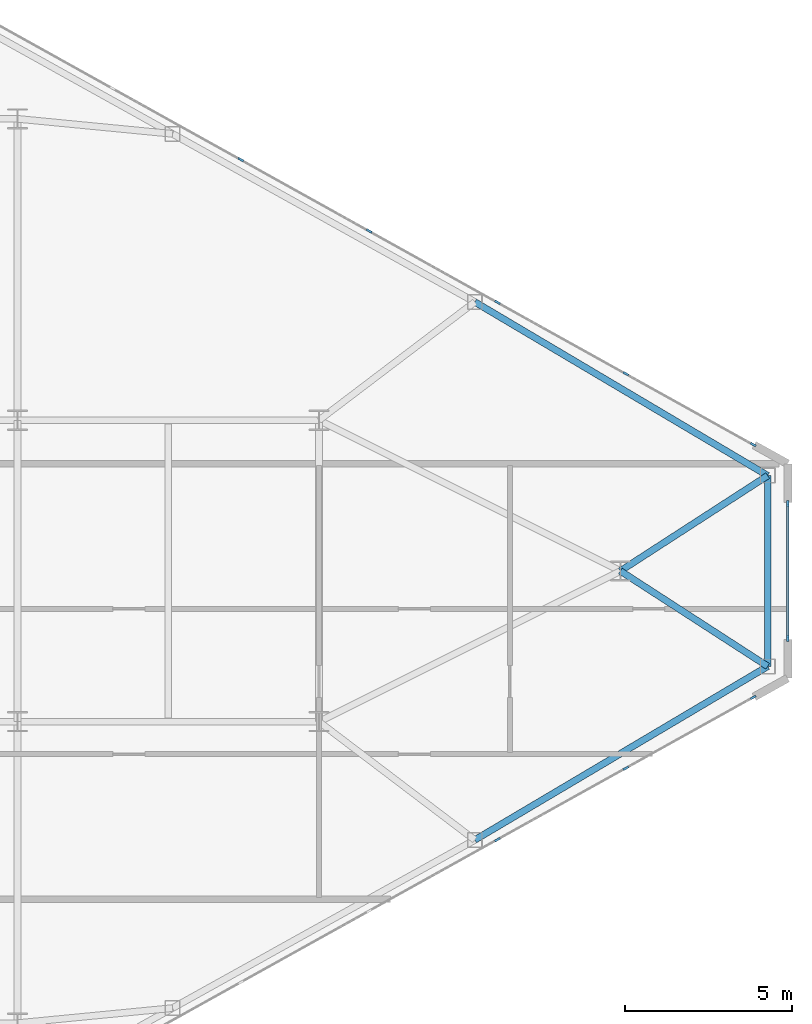
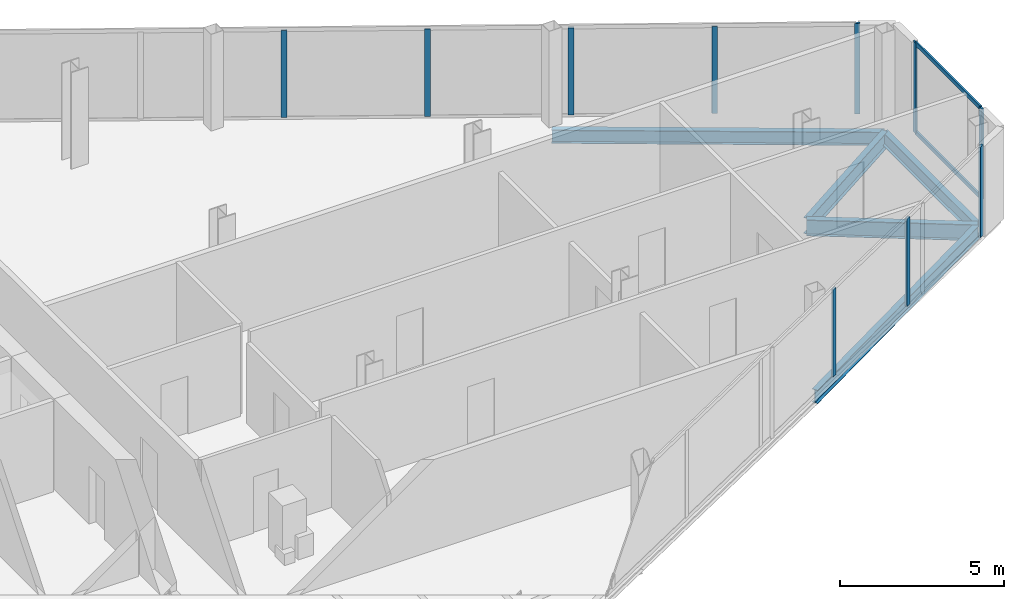
# One storey, part 17 of 25: 12 members, 5 beams, 3 elements without a shape of their own.
"""IFC4 building model written with IfcOpenShell, lengths in metres."""

import ifcopenshell
import ifcopenshell.guid

model = None  # the IFC model being written
_history = None  # IfcOwnerHistory: only IFC2X3 demands one
_inside = {}  # id of a spatial element -> (the spatial element, [elements in it])
_under = {}  # id of a project, library or spatial element -> (it, [spatial elements below it])
_declared = {}  # id of a project -> (the project, [libraries it declares])
_typed = {}  # id of a type object -> (the type object, [elements of that type])
_made_of = {}  # id of a material, layer set ... -> (it, [elements and type objects made of it])


def new_model(schema):
    """Start an empty IFC model of exactly this schema.

    Asked for "IFC4X3", IfcOpenShell would pick the latest addendum, in which some entities
    have other attributes; the version numbers below select the first issue.
    IFC2X3 requires an IfcOwnerHistory on every rooted entity: one is made here for all.
    """
    global model, _history
    if schema == "IFC4X3":
        model = ifcopenshell.file(schema_version=(4, 3, 0, 0))
    else:
        model = ifcopenshell.file(schema=schema)
    _inside.clear()
    _under.clear()
    _declared.clear()
    _typed.clear()
    _made_of.clear()
    _history = None
    if model.schema == "IFC2X3":
        org = make("IfcOrganization", Name="unknown")
        user = make(
            "IfcPersonAndOrganization",
            ThePerson=make("IfcPerson", FamilyName="unknown"),
            TheOrganization=org,
        )
        app = make(
            "IfcApplication",
            ApplicationDeveloper=org,
            Version="unknown",
            ApplicationFullName="unknown",
            ApplicationIdentifier="unknown",
        )
        _history = make(
            "IfcOwnerHistory",
            OwningUser=user,
            OwningApplication=app,
            ChangeAction="ADDED",
            CreationDate=0,
        )
    return model


def make(cls, **values):
    """One entity of the class cls with the attributes given. An attribute that is None is left unset."""
    return model.create_entity(
        cls, **{name: value for name, value in values.items() if value is not None}
    )


def rooted(cls, **values):
    """An entity with a GlobalId (a new one), such as an element, a storey or a relation."""
    return make(cls, GlobalId=ifcopenshell.guid.new(), OwnerHistory=_history, **values)


def si_unit(unit_type, name, prefix=None):
    """IfcSIUnit, for example si_unit("LENGTHUNIT", "METRE", prefix="MILLI")."""
    return make("IfcSIUnit", UnitType=unit_type, Prefix=prefix, Name=name)


def assignment(units):
    """IfcUnitAssignment: the units of a project."""
    return None if units is None else make("IfcUnitAssignment", Units=units)


def point(xyz):
    """IfcCartesianPoint."""
    return None if xyz is None else make("IfcCartesianPoint", Coordinates=xyz)


def direction(xyz):
    """IfcDirection."""
    return None if xyz is None else make("IfcDirection", DirectionRatios=xyz)


def frame(location, z_axis=None, x_axis=None):
    """IfcAxis2Placement3D, a coordinate frame: its origin and axes. An axis left out is left unset."""
    return make(
        "IfcAxis2Placement3D",
        Location=point(location),
        Axis=direction(z_axis),
        RefDirection=direction(x_axis),
    )


def frame_2d(location, x_axis=None):
    """IfcAxis2Placement2D, a coordinate frame in the plane: its origin and x axis."""
    return make(
        "IfcAxis2Placement2D", Location=point(location), RefDirection=direction(x_axis)
    )


def origin():
    """The frame at (0, 0, 0) with its axes left unset."""
    return frame((0.0, 0.0, 0.0))


def origin_2d():
    """The frame at (0, 0) in the plane with its x axis left unset."""
    return frame_2d((0.0, 0.0))


def place(relative_to, where):
    """IfcLocalPlacement: puts the frame where relative to a parent placement (None: the world)."""
    return make(
        "IfcLocalPlacement", PlacementRelTo=relative_to, RelativePlacement=where
    )


def context(
    kind, dimensions, precision=None, world=None, true_north=None, identifier=None
):
    """IfcGeometricRepresentationContext, for example the 3D "Model" context."""
    return make(
        "IfcGeometricRepresentationContext",
        ContextIdentifier=identifier,
        ContextType=kind,
        CoordinateSpaceDimension=dimensions,
        Precision=precision,
        WorldCoordinateSystem=world,
        TrueNorth=true_north,
    )


def subcontext(parent, identifier, kind, view, scale=None):
    """IfcGeometricRepresentationSubContext, for example "Body" below "Model"."""
    return make(
        "IfcGeometricRepresentationSubContext",
        ContextIdentifier=identifier,
        ContextType=kind,
        ParentContext=parent,
        TargetScale=scale,
        TargetView=view,
    )


def project(units=None, contexts=None):
    """IfcProject with its units and contexts."""
    return rooted(
        "IfcProject",
        Name="project",
        RepresentationContexts=contexts,
        UnitsInContext=assignment(units),
    )


def spatial(cls, under=None, at=None, **own):
    """A site, building, storey or space (cls), placed at a placement, below another one or the project."""
    s = rooted(cls, ObjectPlacement=at, **own)
    if under is not None:
        _under.setdefault(under.id(), (under, []))[1].append(s)
    return s


def profile(cls, at=None, kind="AREA", **sizes):
    """A parametric profile (cls). Its sizes go by their IFC names, for example OverallWidth=200.0."""
    return make(cls, ProfileType=kind, Position=at, **sizes)


def rectangle(**sizes):
    """IfcRectangleProfileDef."""
    return profile("IfcRectangleProfileDef", **sizes)


def i_section(**sizes):
    """IfcIShapeProfileDef."""
    return profile("IfcIShapeProfileDef", **sizes)


def extrude(swept, where, along, depth):
    """IfcExtrudedAreaSolid: the profile swept, set in the frame where, extruded along a direction by depth."""
    return make(
        "IfcExtrudedAreaSolid",
        SweptArea=swept,
        Position=where,
        ExtrudedDirection=direction(along),
        Depth=depth,
    )


def shape(context_of_items, identifier, shape_type, items):
    """IfcShapeRepresentation: the items that make up one representation, for example the "Body"."""
    return make(
        "IfcShapeRepresentation",
        ContextOfItems=context_of_items,
        RepresentationIdentifier=identifier,
        RepresentationType=shape_type,
        Items=items,
    )


def source(mapping_origin, context_of_items, identifier, shape_type, items):
    """IfcRepresentationMap: a shape defined once, which mapped items show again and again."""
    return make(
        "IfcRepresentationMap",
        MappingOrigin=mapping_origin,
        MappedRepresentation=shape(context_of_items, identifier, shape_type, items),
    )


def transform(
    local_origin,
    x_axis=None,
    y_axis=None,
    z_axis=None,
    scale=None,
    scale2=None,
    scale3=None,
    uniform=True,
):
    """IfcCartesianTransformationOperator3D, or its non-uniform kind. x_axis, y_axis, z_axis: its Axis1, 2, 3."""
    if uniform:
        return make(
            "IfcCartesianTransformationOperator3D",
            Axis1=direction(x_axis),
            Axis2=direction(y_axis),
            LocalOrigin=point(local_origin),
            Scale=scale,
            Axis3=direction(z_axis),
        )
    return make(
        "IfcCartesianTransformationOperator3DnonUniform",
        Axis1=direction(x_axis),
        Axis2=direction(y_axis),
        LocalOrigin=point(local_origin),
        Scale=scale,
        Axis3=direction(z_axis),
        Scale2=scale2,
        Scale3=scale3,
    )


def mapped(mapping_source, mapping_target):
    """IfcMappedItem: shows the shape of a source again, moved by a transform."""
    return make(
        "IfcMappedItem", MappingSource=mapping_source, MappingTarget=mapping_target
    )


def material(Name=None, Category=None):
    """IfcMaterial."""
    return make("IfcMaterial", Name=Name, Category=Category)


def layer(
    of_material, thickness, ventilated=None, Name=None, Category=None, Priority=None
):
    """IfcMaterialLayer: one layer of a wall or slab, of a material (None: an air gap)."""
    return make(
        "IfcMaterialLayer",
        Material=of_material,
        LayerThickness=thickness,
        IsVentilated=ventilated,
        Name=Name,
        Category=Category,
        Priority=Priority,
    )


def layer_set(layers, Name=None):
    """IfcMaterialLayerSet."""
    return make("IfcMaterialLayerSet", MaterialLayers=layers, LayerSetName=Name)


def material_profile(
    of_material, cross_section, Name=None, Category=None, Priority=None
):
    """IfcMaterialProfile: a cross section and its material."""
    return make(
        "IfcMaterialProfile",
        Name=Name,
        Material=of_material,
        Profile=cross_section,
        Priority=Priority,
        Category=Category,
    )


def profile_set(profiles, Name=None, composite=None):
    """IfcMaterialProfileSet."""
    return make(
        "IfcMaterialProfileSet",
        Name=Name,
        MaterialProfiles=profiles,
        CompositeProfile=composite,
    )


def made_of(thing, what):
    """Note that an element or type object is made of a material, layer set ...; save() writes the relation."""
    if what is not None:
        _made_of.setdefault(what.id(), (what, []))[1].append(thing)
    return thing


def type_object(cls, material=None, **own):
    """A type object (cls), such as IfcWallType, which elements share."""
    return made_of(rooted(cls, **own), material)


def type_shapes(of_type, sources):
    """Give a type object the sources (RepresentationMaps) that its elements show as mapped items."""
    of_type.RepresentationMaps = sources


def element(
    cls,
    number,
    at=None,
    inside=None,
    cuts=None,
    type_object=None,
    material=None,
    context=None,
    identifier="Body",
    shape_type=None,
    held_by="IfcProductDefinitionShape",
    body=None,
    shapes=None,
    **own,
):
    """One element of the class cls, such as IfcWall. Its Tag is "e" and its number.

    at: its placement. inside: the storey or other place that contains it. cuts: it is an
    opening in that element (IfcRelVoidsElement). A single representation is given by context,
    identifier, shape_type and body (its items); several are given by shapes. held_by: the class
    of the entity that holds the representations. save() writes the other relations.
    """
    e = rooted(cls, Tag="e%d" % number, ObjectPlacement=at, **own)
    if body is not None:
        shapes = [shape(context, identifier, shape_type, body)]
    if shapes is not None:
        e.Representation = make(held_by, Representations=shapes)
    if inside is not None:
        _inside.setdefault(inside.id(), (inside, []))[1].append(e)
    if cuts is not None:
        rooted(
            "IfcRelVoidsElement", RelatingBuildingElement=cuts, RelatedOpeningElement=e
        )
    if type_object is not None:
        _typed.setdefault(type_object.id(), (type_object, []))[1].append(e)
    return made_of(e, material)


def aggregate(whole, parts):
    """IfcRelAggregates: a whole, such as a stair, and the parts it consists of."""
    return rooted("IfcRelAggregates", RelatingObject=whole, RelatedObjects=parts)


def save(model, path):
    """Write the relations noted so far, then the file.

    IfcRelAggregates (storeys below a building ...), IfcRelContainedInSpatialStructure (elements
    in a storey), IfcRelDefinesByType, IfcRelAssociatesMaterial and IfcRelDeclares: one each for
    every whole, place, type object, material and project.
    """
    for whole, parts in _under.values():
        aggregate(whole, parts)
    for where, things in _inside.values():
        rooted(
            "IfcRelContainedInSpatialStructure",
            RelatedElements=things,
            RelatingStructure=where,
        )
    for kind, things in _typed.values():
        rooted("IfcRelDefinesByType", RelatedObjects=things, RelatingType=kind)
    for what, things in _made_of.values():
        rooted("IfcRelAssociatesMaterial", RelatedObjects=things, RelatingMaterial=what)
    for by, libraries in _declared.values():
        rooted("IfcRelDeclares", RelatingContext=by, RelatedDefinitions=libraries)
    model.write(path)


model = new_model("IFC4")

# Units and contexts
model_context = context("Model", 3, precision=1e-05, world=origin(), true_north=direction((0.0, 1.0)))
body_context = subcontext(model_context, "Body", "Model", "MODEL_VIEW")
ifc_project = project(units=[si_unit("LENGTHUNIT", "METRE"), si_unit("AREAUNIT", "SQUARE_METRE"), si_unit("VOLUMEUNIT", "CUBIC_METRE"), si_unit("PLANEANGLEUNIT", "RADIAN"), si_unit("MASSUNIT", "GRAM", prefix="KILO")], contexts=[model_context])

# Site, building, storey
site_placement = place(None, origin())
site = spatial("IfcSite", under=ifc_project, at=site_placement, CompositionType="ELEMENT")
building_placement = place(site_placement, origin())
building = spatial("IfcBuilding", under=site, at=building_placement, Name="Seokmaru Belvedere", CompositionType="ELEMENT")
storey_placement = place(building_placement, frame((0.0, 0.0, 185.10009765625)))
storey = spatial("IfcBuildingStorey", under=building, at=storey_placement, Name="L49", CompositionType="ELEMENT", Elevation=185.10009765625)

# Beams
ifc_material_1 = material(Name="Steel SM355 (355 MPa)", Category="steel")
ifc_material_profile_1 = material_profile(ifc_material_1, i_section(OverallWidth=0.199951171875, OverallDepth=0.5, WebThickness=0.010009765625, FlangeThickness=0.01611328125, at=origin_2d()), Name="H-500x200x10x16")
ifc_profile_set_1 = profile_set([ifc_material_profile_1], Name="Steel SM355 (355 MPa)")
beam_type_1 = type_object("IfcBeamType", Name="Perimeter Spandrel Beam H-500", PredefinedType="SPANDREL", material=ifc_profile_set_1)
shared_shape_1 = source(origin(), body_context, "Body", "SweptSolid", [
    extrude(i_section(OverallWidth=0.199951171875, OverallDepth=0.5, WebThickness=0.010009765625, FlangeThickness=0.01611328125, at=origin_2d()), origin(), (0.0, 0.0, 1.0), 10.16650390625),
])
for number, where, z_axis, x_axis, name in (
    (1, (59.154541015625, -8.031494140625, -0.47021484375), (0.860209996506, 0.509939959124, 0.0), (-0.509939959124, 0.860209996506, 0.0), "L49 E Faceted Flank Spandrel S-4"),
    (2, (59.154541015625, 8.031494140625, -0.47021484375), (0.860209996506, -0.509939959124, 0.0), (0.509939959124, 0.860209996506, 0.0), "L49 E Faceted Flank Spandrel N-4"),
):
    element("IfcBeam", number, at=place(storey_placement, frame(where, z_axis=z_axis, x_axis=x_axis)), inside=storey, type_object=beam_type_1, Name=name, PredefinedType="SPANDREL", context=body_context, shape_type="MappedRepresentation", body=[
        mapped(shared_shape_1, transform((0.0, 0.0, 0.0), scale=1.0)),
    ])
shared_shape_2 = source(origin(), body_context, "Body", "SweptSolid", [
    extrude(i_section(OverallWidth=0.199951171875, OverallDepth=0.5, WebThickness=0.010009765625, FlangeThickness=0.01611328125, at=origin_2d()), origin(), (0.0, 0.0, 1.0), 5.6943359375),
])
type_shapes(beam_type_1, [shared_shape_1, shared_shape_2])
beam_placement = place(storey_placement, frame((67.89990234375, -2.84716796875, -0.47021484375), z_axis=(0.0, 1.0, 0.0), x_axis=(-1.0, 0.0, 0.0)))
element("IfcBeam", 3, at=beam_placement, inside=storey, type_object=beam_type_1, Name="L49 E Faceted Apex Spandrel", PredefinedType="SPANDREL", context=body_context, shape_type="MappedRepresentation", body=[
    mapped(shared_shape_2, transform((0.0, 0.0, 0.0), scale=1.0)),
])
ifc_material_profile_2 = material_profile(ifc_material_1, i_section(OverallWidth=0.199951171875, OverallDepth=0.60009765625, WebThickness=0.010986328125, FlangeThickness=0.01708984375, at=origin_2d()), Name="H-600x200x11x17")
ifc_profile_set_2 = profile_set([ifc_material_profile_2], Name="Steel SM355 (355 MPa)")
beam_type_2 = type_object("IfcBeamType", Name="Primary Floor Girder H-600", PredefinedType="BEAM", material=ifc_profile_set_2)
shared_shape_3 = source(origin(), body_context, "Body", "SweptSolid", [
    extrude(i_section(OverallWidth=0.199951171875, OverallDepth=0.60009765625, WebThickness=0.010986328125, FlangeThickness=0.01708984375, at=origin_2d()), origin(), (0.0, 0.0, 1.0), 5.24072265625),
])
type_shapes(beam_type_2, [shared_shape_3])
for number, where, z_axis, x_axis, name in (
    (4, (67.89990234375, -2.84716796875, -0.52001953125), (-0.839555158729, 0.543274456836, 0.0), (-0.543274456836, -0.839555158729, 0.0), "L49 E Apex Radial Floor Girder 1"),
    (5, (67.89990234375, 2.84716796875, -0.52001953125), (-0.839555158729, -0.543274456836, 0.0), (0.543274456836, -0.839555158729, 0.0), "L49 E Apex Radial Floor Girder 2"),
):
    element("IfcBeam", number, at=place(storey_placement, frame(where, z_axis=z_axis, x_axis=x_axis)), inside=storey, type_object=beam_type_2, Name=name, PredefinedType="BEAM", context=body_context, shape_type="MappedRepresentation", body=[
        mapped(shared_shape_3, transform((0.0, 0.0, 0.0), scale=1.0)),
    ])

# Curtain wall, members
ifc_material_2 = material(Name="Bronze Triple Insulating Glass", Category="glass")
ifc_layer = layer(ifc_material_2, 0.179931640625)
ifc_layer_set = layer_set([ifc_layer], Name="Bronze Triple Insulating Glass")
curtain_wall_type = type_object("IfcCurtainWallType", Name="High-Rise Wind-Corner Curtain Wall System CW-5", PredefinedType="NOTDEFINED", material=ifc_layer_set)
curtain_wall_1_placement = place(storey_placement, origin())
curtain_wall_1 = element("IfcCurtainWall", 6, at=curtain_wall_1_placement, inside=storey, type_object=curtain_wall_type, Name="L49 Curtain Wall EF2", PredefinedType="NOTDEFINED")
ifc_material_3 = material(Name="Anodised Bronze Aluminium", Category="aluminium")
ifc_material_profile_3 = material_profile(ifc_material_3, rectangle(XDim=0.06494140625, YDim=0.14990234375, at=origin_2d()), Name="CW-T-65x150")
ifc_profile_set_3 = profile_set([ifc_material_profile_3], Name="Anodised Bronze Aluminium")
member_type_1 = type_object("IfcMemberType", Name="Bronze Unitised Transom 65x150", PredefinedType="USERDEFINED", material=ifc_profile_set_3)
shared_shape_4 = source(origin(), body_context, "Body", "SweptSolid", [
    extrude(rectangle(XDim=0.06494140625, YDim=0.14990234375, at=origin_2d()), origin(), (0.0, 0.0, 1.0), 3.97021484375),
])
type_shapes(member_type_1, [shared_shape_4])
member_1_placement = place(storey_placement, frame((68.5, -1.985107421875, 0.032470703125), z_axis=(0.0, 1.0, 0.0), x_axis=(-1.0, 0.0, 0.0)))
member_1 = element("IfcMember", 7, at=member_1_placement, type_object=member_type_1, Name="CW:L49:EF2 Continuous Transom 1", ObjectType="TRANSOM", PredefinedType="USERDEFINED", context=body_context, shape_type="MappedRepresentation", body=[
    mapped(shared_shape_4, transform((0.0, 0.0, 0.0), scale=1.0)),
])
member_2_placement = place(storey_placement, frame((68.5, -1.985107421875, 3.347412109375), z_axis=(0.0, 1.0, 0.0), x_axis=(-1.0, 0.0, 0.0)))
member_2 = element("IfcMember", 8, at=member_2_placement, type_object=member_type_1, Name="CW:L49:EF2 Continuous Transom 2", ObjectType="TRANSOM", PredefinedType="USERDEFINED", context=body_context, shape_type="MappedRepresentation", body=[
    mapped(shared_shape_4, transform((0.0, 0.0, 0.0), scale=1.0)),
])

# Curtain wall, member
curtain_wall_2_placement = place(storey_placement, origin())
curtain_wall_2 = element("IfcCurtainWall", 9, at=curtain_wall_2_placement, inside=storey, type_object=curtain_wall_type, Name="L49 Curtain Wall EF1", PredefinedType="NOTDEFINED")
ifc_material_profile_4 = material_profile(ifc_material_3, rectangle(XDim=0.06494140625, YDim=0.179931640625, at=origin_2d()), Name="CW-M-65x180")
ifc_profile_set_4 = profile_set([ifc_material_profile_4], Name="Anodised Bronze Aluminium")
member_type_2 = type_object("IfcMemberType", Name="Bronze Unitised Mullion 65x180", PredefinedType="MULLION", material=ifc_profile_set_4)
shared_shape_5 = source(origin(), body_context, "Body", "SweptSolid", [
    extrude(rectangle(XDim=0.06494140625, YDim=0.179931640625, at=origin_2d()), origin(), (0.0, 0.0, 1.0), 3.3798828125),
])
member_3_placement = place(storey_placement, frame((67.466552734375, -3.77490234375, 0.0), z_axis=(0.0, 0.0, 1.0), x_axis=(-0.486047125147, 0.873932601598, 0.0)))
member_3 = element("IfcMember", 10, at=member_3_placement, type_object=member_type_2, Name="CW:L49:EF1 Mullion 10", PredefinedType="MULLION", context=body_context, shape_type="MappedRepresentation", body=[
    mapped(shared_shape_5, transform((0.0, 0.0, 0.0), scale=1.0)),
])

# Member
member_4_placement = place(storey_placement, frame((68.5, -2.017578125, 0.0), z_axis=(0.0, 0.0, 1.0), x_axis=(-1.0, 0.0, 0.0)))
member_4 = element("IfcMember", 11, at=member_4_placement, type_object=member_type_2, Name="CW:L49:EF2 Mullion 1", PredefinedType="MULLION", context=body_context, shape_type="MappedRepresentation", body=[
    mapped(shared_shape_5, transform((0.0, 0.0, 0.0), scale=1.0)),
])

member_5_placement = place(storey_placement, frame((68.5, 2.017578125, 0.0), z_axis=(0.0, 0.0, 1.0), x_axis=(-1.0, 0.0, 0.0)))
member_5 = element("IfcMember", 12, at=member_5_placement, type_object=member_type_2, Name="CW:L49:EF2 Mullion 2", PredefinedType="MULLION", context=body_context, shape_type="MappedRepresentation", body=[
    mapped(shared_shape_5, transform((0.0, 0.0, 0.0), scale=1.0)),
])

aggregate(curtain_wall_1, [member_4, member_5, member_1, member_2])

# Curtain wall, member
curtain_wall_3_placement = place(storey_placement, origin())
curtain_wall_3 = element("IfcCurtainWall", 13, at=curtain_wall_3_placement, inside=storey, type_object=curtain_wall_type, Name="L49 Curtain Wall EF3", PredefinedType="NOTDEFINED")
member_6_placement = place(storey_placement, frame((67.466552734375, 3.77490234375, 0.0), z_axis=(0.0, 0.0, 1.0), x_axis=(-0.486047125147, -0.873932601598, 0.0)))
member_6 = element("IfcMember", 14, at=member_6_placement, type_object=member_type_2, Name="CW:L49:EF3 Mullion 1", PredefinedType="MULLION", context=body_context, shape_type="MappedRepresentation", body=[
    mapped(shared_shape_5, transform((0.0, 0.0, 0.0), scale=1.0)),
])

# Member
shared_shape_6 = source(origin(), body_context, "Body", "SweptSolid", [
    extrude(rectangle(XDim=0.06494140625, YDim=0.179931640625, at=origin_2d()), origin(), (0.0, 0.0, 1.0), 3.25),
])
type_shapes(member_type_2, [shared_shape_5, shared_shape_6])
member_7_placement = place(storey_placement, frame((59.83056640625, -8.021728515625, 0.06494140625), z_axis=(0.0, 0.0, 1.0), x_axis=(-0.486047125147, 0.873932601598, 0.0)))
member_7 = element("IfcMember", 15, at=member_7_placement, type_object=member_type_2, Name="CW:L49:EF1 Mullion 8", PredefinedType="MULLION", context=body_context, shape_type="MappedRepresentation", body=[
    mapped(shared_shape_6, transform((0.0, 0.0, 0.0), scale=1.0)),
])

member_8_placement = place(storey_placement, frame((63.662841796875, -5.890380859375, 0.06494140625), z_axis=(0.0, 0.0, 1.0), x_axis=(-0.486047125147, 0.873932601598, 0.0)))
member_8 = element("IfcMember", 16, at=member_8_placement, type_object=member_type_2, Name="CW:L49:EF1 Mullion 9", PredefinedType="MULLION", context=body_context, shape_type="MappedRepresentation", body=[
    mapped(shared_shape_6, transform((0.0, 0.0, 0.0), scale=1.0)),
])

aggregate(curtain_wall_2, [member_7, member_8, member_3])

member_9_placement = place(storey_placement, frame((63.662841796875, 5.890380859375, 0.06494140625), z_axis=(0.0, 0.0, 1.0), x_axis=(-0.486047125147, -0.873932601598, 0.0)))
member_9 = element("IfcMember", 17, at=member_9_placement, type_object=member_type_2, Name="CW:L49:EF3 Mullion 2", PredefinedType="MULLION", context=body_context, shape_type="MappedRepresentation", body=[
    mapped(shared_shape_6, transform((0.0, 0.0, 0.0), scale=1.0)),
])

member_10_placement = place(storey_placement, frame((59.83056640625, 8.021728515625, 0.06494140625), z_axis=(0.0, 0.0, 1.0), x_axis=(-0.486047125147, -0.873932601598, 0.0)))
member_10 = element("IfcMember", 18, at=member_10_placement, type_object=member_type_2, Name="CW:L49:EF3 Mullion 3", PredefinedType="MULLION", context=body_context, shape_type="MappedRepresentation", body=[
    mapped(shared_shape_6, transform((0.0, 0.0, 0.0), scale=1.0)),
])

member_11_placement = place(storey_placement, frame((55.998291015625, 10.153076171875, 0.06494140625), z_axis=(0.0, 0.0, 1.0), x_axis=(-0.486047125147, -0.873932601598, 0.0)))
member_11 = element("IfcMember", 19, at=member_11_placement, type_object=member_type_2, Name="CW:L49:EF3 Mullion 4", PredefinedType="MULLION", context=body_context, shape_type="MappedRepresentation", body=[
    mapped(shared_shape_6, transform((0.0, 0.0, 0.0), scale=1.0)),
])

member_12_placement = place(storey_placement, frame((52.166015625, 12.2841796875, 0.06494140625), z_axis=(0.0, 0.0, 1.0), x_axis=(-0.486047125147, -0.873932601598, 0.0)))
member_12 = element("IfcMember", 20, at=member_12_placement, type_object=member_type_2, Name="CW:L49:EF3 Mullion 5", PredefinedType="MULLION", context=body_context, shape_type="MappedRepresentation", body=[
    mapped(shared_shape_6, transform((0.0, 0.0, 0.0), scale=1.0)),
])

aggregate(curtain_wall_3, [member_6, member_9, member_10, member_11, member_12])

save(model, "model.ifc")
